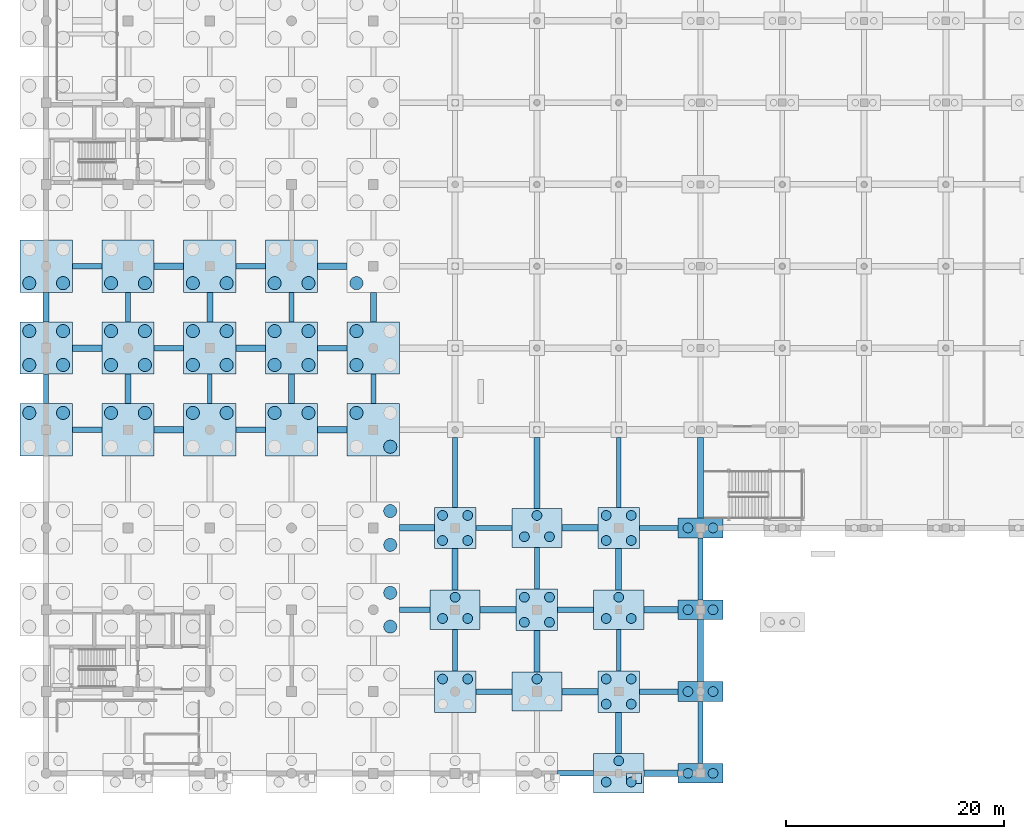
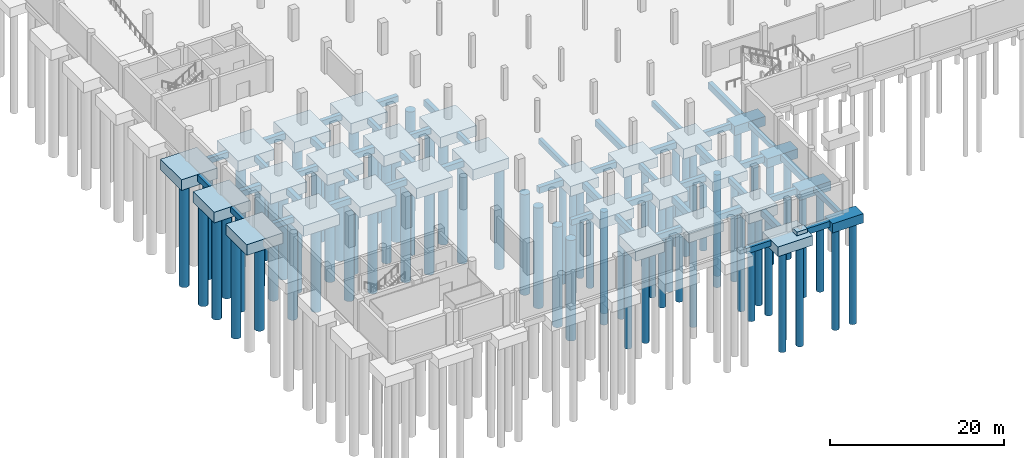
# One storey, part 2 of 42: 80 piles, 78 footings.
"""IFC4 building model written with IfcOpenShell, lengths in metres."""

from ifc_helpers import new_model, si_unit, direction, frame, origin, origin_2d, place, context, subcontext, project, spatial, rectangle, circle, extrude, material, material_profile, profile_set, type_object, element, save


model = new_model("IFC4")

# Units and contexts
model_context = context("Model", 3, precision=1e-05, world=origin(), true_north=direction((0.0, 1.0)))
body_context = subcontext(model_context, "Body", "Model", "MODEL_VIEW")
ifc_project = project(units=[si_unit("LENGTHUNIT", "METRE"), si_unit("AREAUNIT", "SQUARE_METRE"), si_unit("VOLUMEUNIT", "CUBIC_METRE"), si_unit("PLANEANGLEUNIT", "RADIAN"), si_unit("MASSUNIT", "GRAM", prefix="KILO")], contexts=[model_context])

# Site, building, storey
site_placement = place(None, origin())
site = spatial("IfcSite", under=ifc_project, at=site_placement, CompositionType="ELEMENT")
building_placement = place(site_placement, origin())
building = spatial("IfcBuilding", under=site, at=building_placement, Name="Dalvernix Boulevard General Hospital", CompositionType="ELEMENT")
storey_placement = place(building_placement, frame((0.0, 0.0, -4.5)))
storey = spatial("IfcBuildingStorey", under=building, at=storey_placement, Name="B1", CompositionType="ELEMENT", Elevation=-4.5)

# Footings
ifc_material_1 = material(Name="Concrete C35/45", Category="concrete")
footing_type_1 = type_object("IfcFootingType", Name="FTG-GB-01", PredefinedType="FOOTING_BEAM", material=ifc_material_1)
for number, where, z_axis, x_axis, name in (
    (1, (48.550048828125, 0.0, -1.2998046875), (0.0, 0.0, 1.0), (1.0, 0.0, 0.0), "Ground beam A:7-8"),
    (2, (41.050048828125, 7.5, -1.2998046875), (0.0, 0.0, 1.0), (1.0, 0.0, 0.0), "Ground beam B:6-7"),
):
    element("IfcFooting", number, at=place(storey_placement, frame(where, z_axis=z_axis, x_axis=x_axis)), inside=storey, type_object=footing_type_1, Name=name, PredefinedType="FOOTING_BEAM", context=body_context, shape_type="SweptSolid", body=[
        extrude(rectangle(XDim=3.300048828125, YDim=0.5, at=origin_2d()), origin(), (0.0, 0.0, 1.0), 0.800048828125),
    ])
footing_1_placement = place(storey_placement, frame((56.175048828125, 7.5, -1.2998046875), z_axis=(0.0, 0.0, 1.0), x_axis=(1.0, 0.0, 0.0)))
element("IfcFooting", 3, at=footing_1_placement, inside=storey, type_object=footing_type_1, Name="Ground beam B:8-9", PredefinedType="FOOTING_BEAM", context=body_context, shape_type="SweptSolid", body=[
    extrude(rectangle(XDim=3.550048828125, YDim=0.5, at=origin_2d()), origin(), (0.0, 0.0, 1.0), 0.800048828125),
])
footing_2_placement = place(storey_placement, frame((33.800048828125, 15.0, -1.2998046875), z_axis=(0.0, 0.0, 1.0), x_axis=(1.0, 0.0, 0.0)))
element("IfcFooting", 4, at=footing_2_placement, inside=storey, type_object=footing_type_1, Name="Ground beam C:5-6", PredefinedType="FOOTING_BEAM", context=body_context, shape_type="SweptSolid", body=[
    extrude(rectangle(XDim=2.800048828125, YDim=0.5, at=origin_2d()), origin(), (0.0, 0.0, 1.0), 0.800048828125),
])
for number, where, z_axis, x_axis, name in (
    (5, (48.550048828125, 15.0, -1.2998046875), (0.0, 0.0, 1.0), (1.0, 0.0, 0.0), "Ground beam C:7-8"),
    (6, (41.050048828125, 22.5, -1.2998046875), (0.0, 0.0, 1.0), (1.0, 0.0, 0.0), "Ground beam D:6-7"),
):
    element("IfcFooting", number, at=place(storey_placement, frame(where, z_axis=z_axis, x_axis=x_axis)), inside=storey, type_object=footing_type_1, Name=name, PredefinedType="FOOTING_BEAM", context=body_context, shape_type="SweptSolid", body=[
        extrude(rectangle(XDim=3.300048828125, YDim=0.5, at=origin_2d()), origin(), (0.0, 0.0, 1.0), 0.800048828125),
    ])
footing_3_placement = place(storey_placement, frame((56.175048828125, 22.5, -1.2998046875), z_axis=(0.0, 0.0, 1.0), x_axis=(1.0, 0.0, 0.0)))
element("IfcFooting", 7, at=footing_3_placement, inside=storey, type_object=footing_type_1, Name="Ground beam D:8-9", PredefinedType="FOOTING_BEAM", context=body_context, shape_type="SweptSolid", body=[
    extrude(rectangle(XDim=3.550048828125, YDim=0.5, at=origin_2d()), origin(), (0.0, 0.0, 1.0), 0.800048828125),
])
for number, where, z_axis, x_axis, name in (
    (8, (3.75, 31.5, -1.2998046875), (0.0, 0.0, 1.0), (1.0, 0.0, 0.0), "Ground beam E:1-2"),
    (9, (18.75, 31.5, -1.2998046875), (0.0, 0.0, 1.0), (1.0, 0.0, 0.0), "Ground beam E:3-4"),
    (10, (11.25, 39.0, -1.2998046875), (0.0, 0.0, 1.0), (1.0, 0.0, 0.0), "Ground beam F:2-3"),
    (11, (26.25, 39.0, -1.2998046875), (0.0, 0.0, 1.0), (1.0, 0.0, 0.0), "Ground beam F:4-5"),
    (12, (3.75, 46.5, -1.2998046875), (0.0, 0.0, 1.0), (1.0, 0.0, 0.0), "Ground beam G:1-2"),
    (13, (18.75, 46.5, -1.2998046875), (0.0, 0.0, 1.0), (1.0, 0.0, 0.0), "Ground beam G:3-4"),
):
    element("IfcFooting", number, at=place(storey_placement, frame(where, z_axis=z_axis, x_axis=x_axis)), inside=storey, type_object=footing_type_1, Name=name, PredefinedType="FOOTING_BEAM", context=body_context, shape_type="SweptSolid", body=[
        extrude(rectangle(XDim=2.699951171875, YDim=0.5, at=origin_2d()), origin(), (0.0, 0.0, 1.0), 0.800048828125),
    ])
footing_type_2 = type_object("IfcFootingType", Name="FTG-GB-02", PredefinedType="FOOTING_BEAM", material=ifc_material_1)
footing_4_placement = place(storey_placement, frame((56.375, 0.0, -1.35009765625), z_axis=(0.0, 0.0, 1.0), x_axis=(1.0, 0.0, 0.0)))
element("IfcFooting", 14, at=footing_4_placement, inside=storey, type_object=footing_type_2, Name="Ground beam A:8-9", PredefinedType="FOOTING_BEAM", context=body_context, shape_type="SweptSolid", body=[
    extrude(rectangle(XDim=3.14990234375, YDim=0.60009765625, at=origin_2d()), origin(), (0.0, 0.0, 1.0), 0.85009765625),
])
for number, where, z_axis, x_axis, name in (
    (15, (48.949951171875, 7.5, -1.35009765625), (0.0, 0.0, 1.0), (1.0, 0.0, 0.0), "Ground beam B:7-8"),
    (16, (41.449951171875, 15.0, -1.35009765625), (0.0, 0.0, 1.0), (1.0, 0.0, 0.0), "Ground beam C:6-7"),
):
    element("IfcFooting", number, at=place(storey_placement, frame(where, z_axis=z_axis, x_axis=x_axis)), inside=storey, type_object=footing_type_2, Name=name, PredefinedType="FOOTING_BEAM", context=body_context, shape_type="SweptSolid", body=[
        extrude(rectangle(XDim=3.300048828125, YDim=0.60009765625, at=origin_2d()), origin(), (0.0, 0.0, 1.0), 0.85009765625),
    ])
footing_5_placement = place(storey_placement, frame((56.375, 15.0, -1.35009765625), z_axis=(0.0, 0.0, 1.0), x_axis=(1.0, 0.0, 0.0)))
element("IfcFooting", 17, at=footing_5_placement, inside=storey, type_object=footing_type_2, Name="Ground beam C:8-9", PredefinedType="FOOTING_BEAM", context=body_context, shape_type="SweptSolid", body=[
    extrude(rectangle(XDim=3.14990234375, YDim=0.60009765625, at=origin_2d()), origin(), (0.0, 0.0, 1.0), 0.85009765625),
])
footing_6_placement = place(storey_placement, frame((34.0, 22.5, -1.35009765625), z_axis=(0.0, 0.0, 1.0), x_axis=(1.0, 0.0, 0.0)))
element("IfcFooting", 18, at=footing_6_placement, inside=storey, type_object=footing_type_2, Name="Ground beam D:5-6", PredefinedType="FOOTING_BEAM", context=body_context, shape_type="SweptSolid", body=[
    extrude(rectangle(XDim=3.199951171875, YDim=0.60009765625, at=origin_2d()), origin(), (0.0, 0.0, 1.0), 0.85009765625),
])
footing_7_placement = place(storey_placement, frame((48.949951171875, 22.5, -1.35009765625), z_axis=(0.0, 0.0, 1.0), x_axis=(1.0, 0.0, 0.0)))
element("IfcFooting", 19, at=footing_7_placement, inside=storey, type_object=footing_type_2, Name="Ground beam D:7-8", PredefinedType="FOOTING_BEAM", context=body_context, shape_type="SweptSolid", body=[
    extrude(rectangle(XDim=3.300048828125, YDim=0.60009765625, at=origin_2d()), origin(), (0.0, 0.0, 1.0), 0.85009765625),
])
for number, where, z_axis, x_axis, name in (
    (20, (11.25, 31.5, -1.35009765625), (0.0, 0.0, 1.0), (1.0, 0.0, 0.0), "Ground beam E:2-3"),
    (21, (26.25, 31.5, -1.35009765625), (0.0, 0.0, 1.0), (1.0, 0.0, 0.0), "Ground beam E:4-5"),
    (22, (3.75, 39.0, -1.35009765625), (0.0, 0.0, 1.0), (1.0, 0.0, 0.0), "Ground beam F:1-2"),
    (23, (18.75, 39.0, -1.35009765625), (0.0, 0.0, 1.0), (1.0, 0.0, 0.0), "Ground beam F:3-4"),
    (24, (11.25, 46.5, -1.35009765625), (0.0, 0.0, 1.0), (1.0, 0.0, 0.0), "Ground beam G:2-3"),
    (25, (26.25, 46.5, -1.35009765625), (0.0, 0.0, 1.0), (1.0, 0.0, 0.0), "Ground beam G:4-5"),
):
    element("IfcFooting", number, at=place(storey_placement, frame(where, z_axis=z_axis, x_axis=x_axis)), inside=storey, type_object=footing_type_2, Name=name, PredefinedType="FOOTING_BEAM", context=body_context, shape_type="SweptSolid", body=[
        extrude(rectangle(XDim=2.699951171875, YDim=0.60009765625, at=origin_2d()), origin(), (0.0, 0.0, 1.0), 0.85009765625),
    ])
footing_type_3 = type_object("IfcFootingType", Name="FTG-GB-03", PredefinedType="FOOTING_BEAM", material=ifc_material_1)
for number, where, z_axis, x_axis, name in (
    (26, (0.0, 35.25, -1.25), (0.0, 0.0, 1.0), (0.0, 1.0, 0.0), "Ground beam 1:E-F"),
    (27, (7.5, 42.75, -1.25), (0.0, 0.0, 1.0), (0.0, 1.0, 0.0), "Ground beam 2:F-G"),
    (28, (15.0, 35.25, -1.25), (0.0, 0.0, 1.0), (0.0, 1.0, 0.0), "Ground beam 3:E-F"),
    (29, (22.5, 42.75, -1.25), (0.0, 0.0, 1.0), (0.0, 1.0, 0.0), "Ground beam 4:F-G"),
    (30, (30.0, 35.25, -1.25), (0.0, 0.0, 1.0), (0.0, 1.0, 0.0), "Ground beam 5:E-F"),
):
    element("IfcFooting", number, at=place(storey_placement, frame(where, z_axis=z_axis, x_axis=x_axis)), inside=storey, type_object=footing_type_3, Name=name, PredefinedType="FOOTING_BEAM", context=body_context, shape_type="SweptSolid", body=[
        extrude(rectangle(XDim=2.699951171875, YDim=0.449951171875, at=origin_2d()), origin(), (0.0, 0.0, 1.0), 0.75),
    ])
footing_8_placement = place(storey_placement, frame((37.5, 11.300048828125, -1.25), z_axis=(0.0, 0.0, 1.0), x_axis=(0.0, 1.0, 0.0)))
element("IfcFooting", 31, at=footing_8_placement, inside=storey, type_object=footing_type_3, Name="Ground beam 6:B-C", PredefinedType="FOOTING_BEAM", context=body_context, shape_type="SweptSolid", body=[
    extrude(rectangle(XDim=3.800048828125, YDim=0.449951171875, at=origin_2d()), origin(), (0.0, 0.0, 1.0), 0.75),
])
footing_9_placement = place(storey_placement, frame((37.5, 27.60009765625, -1.25), z_axis=(0.0, 0.0, 1.0), x_axis=(0.0, 1.0, 0.0)))
element("IfcFooting", 32, at=footing_9_placement, inside=storey, type_object=footing_type_3, Name="Ground beam 6:D-E", PredefinedType="FOOTING_BEAM", context=body_context, shape_type="SweptSolid", body=[
    extrude(rectangle(XDim=6.39990234375, YDim=0.449951171875, at=origin_2d()), origin(), (0.0, 0.0, 1.0), 0.75),
])
for number, where, z_axis, x_axis, name in (
    (33, (45.0, 18.800048828125, -1.25), (0.0, 0.0, 1.0), (0.0, 1.0, 0.0), "Ground beam 7:C-D"),
    (34, (52.5, 11.300048828125, -1.25), (0.0, 0.0, 1.0), (0.0, 1.0, 0.0), "Ground beam 8:B-C"),
):
    element("IfcFooting", number, at=place(storey_placement, frame(where, z_axis=z_axis, x_axis=x_axis)), inside=storey, type_object=footing_type_3, Name=name, PredefinedType="FOOTING_BEAM", context=body_context, shape_type="SweptSolid", body=[
        extrude(rectangle(XDim=3.800048828125, YDim=0.449951171875, at=origin_2d()), origin(), (0.0, 0.0, 1.0), 0.75),
    ])
footing_10_placement = place(storey_placement, frame((52.5, 27.60009765625, -1.25), z_axis=(0.0, 0.0, 1.0), x_axis=(0.0, 1.0, 0.0)))
element("IfcFooting", 35, at=footing_10_placement, inside=storey, type_object=footing_type_3, Name="Ground beam 8:D-E", PredefinedType="FOOTING_BEAM", context=body_context, shape_type="SweptSolid", body=[
    extrude(rectangle(XDim=6.39990234375, YDim=0.449951171875, at=origin_2d()), origin(), (0.0, 0.0, 1.0), 0.75),
])
for number, where, z_axis, x_axis, name in (
    (36, (60.0, 3.75, -1.25), (0.0, 0.0, 1.0), (0.0, 1.0, 0.0), "Ground beam 9:A-B"),
    (37, (60.0, 18.75, -1.25), (0.0, 0.0, 1.0), (0.0, 1.0, 0.0), "Ground beam 9:C-D"),
):
    element("IfcFooting", number, at=place(storey_placement, frame(where, z_axis=z_axis, x_axis=x_axis)), inside=storey, type_object=footing_type_3, Name=name, PredefinedType="FOOTING_BEAM", context=body_context, shape_type="SweptSolid", body=[
        extrude(rectangle(XDim=5.699951171875, YDim=0.449951171875, at=origin_2d()), origin(), (0.0, 0.0, 1.0), 0.75),
    ])
footing_type_4 = type_object("IfcFootingType", Name="FTG-GB-04", PredefinedType="FOOTING_BEAM", material=ifc_material_1)
for number, where, z_axis, x_axis, name in (
    (38, (0.0, 42.75, -1.39990234375), (0.0, 0.0, 1.0), (0.0, 1.0, 0.0), "Ground beam 1:F-G"),
    (39, (7.5, 35.25, -1.39990234375), (0.0, 0.0, 1.0), (0.0, 1.0, 0.0), "Ground beam 2:E-F"),
    (40, (15.0, 42.75, -1.39990234375), (0.0, 0.0, 1.0), (0.0, 1.0, 0.0), "Ground beam 3:F-G"),
    (41, (22.5, 35.25, -1.39990234375), (0.0, 0.0, 1.0), (0.0, 1.0, 0.0), "Ground beam 4:E-F"),
    (42, (30.0, 42.75, -1.39990234375), (0.0, 0.0, 1.0), (0.0, 1.0, 0.0), "Ground beam 5:F-G"),
):
    element("IfcFooting", number, at=place(storey_placement, frame(where, z_axis=z_axis, x_axis=x_axis)), inside=storey, type_object=footing_type_4, Name=name, PredefinedType="FOOTING_BEAM", context=body_context, shape_type="SweptSolid", body=[
        extrude(rectangle(XDim=2.699951171875, YDim=0.550048828125, at=origin_2d()), origin(), (0.0, 0.0, 1.0), 0.89990234375),
    ])
for number, where, z_axis, x_axis, name in (
    (43, (37.5, 18.699951171875, -1.39990234375), (0.0, 0.0, 1.0), (0.0, 1.0, 0.0), "Ground beam 6:C-D"),
    (44, (45.0, 11.199951171875, -1.39990234375), (0.0, 0.0, 1.0), (0.0, 1.0, 0.0), "Ground beam 7:B-C"),
):
    element("IfcFooting", number, at=place(storey_placement, frame(where, z_axis=z_axis, x_axis=x_axis)), inside=storey, type_object=footing_type_4, Name=name, PredefinedType="FOOTING_BEAM", context=body_context, shape_type="SweptSolid", body=[
        extrude(rectangle(XDim=3.800048828125, YDim=0.550048828125, at=origin_2d()), origin(), (0.0, 0.0, 1.0), 0.89990234375),
    ])
footing_11_placement = place(storey_placement, frame((45.0, 27.550048828125, -1.39990234375), z_axis=(0.0, 0.0, 1.0), x_axis=(0.0, 1.0, 0.0)))
element("IfcFooting", 45, at=footing_11_placement, inside=storey, type_object=footing_type_4, Name="Ground beam 7:D-E", PredefinedType="FOOTING_BEAM", context=body_context, shape_type="SweptSolid", body=[
    extrude(rectangle(XDim=6.5, YDim=0.550048828125, at=origin_2d()), origin(), (0.0, 0.0, 1.0), 0.89990234375),
])
for number, where, z_axis, x_axis, name in (
    (46, (52.5, 3.699951171875, -1.39990234375), (0.0, 0.0, 1.0), (0.0, 1.0, 0.0), "Ground beam 8:A-B"),
    (47, (52.5, 18.699951171875, -1.39990234375), (0.0, 0.0, 1.0), (0.0, 1.0, 0.0), "Ground beam 8:C-D"),
):
    element("IfcFooting", number, at=place(storey_placement, frame(where, z_axis=z_axis, x_axis=x_axis)), inside=storey, type_object=footing_type_4, Name=name, PredefinedType="FOOTING_BEAM", context=body_context, shape_type="SweptSolid", body=[
        extrude(rectangle(XDim=3.800048828125, YDim=0.550048828125, at=origin_2d()), origin(), (0.0, 0.0, 1.0), 0.89990234375),
    ])
footing_12_placement = place(storey_placement, frame((60.0, 11.25, -1.39990234375), z_axis=(0.0, 0.0, 1.0), x_axis=(0.0, 1.0, 0.0)))
element("IfcFooting", 48, at=footing_12_placement, inside=storey, type_object=footing_type_4, Name="Ground beam 9:B-C", PredefinedType="FOOTING_BEAM", context=body_context, shape_type="SweptSolid", body=[
    extrude(rectangle(XDim=5.699951171875, YDim=0.550048828125, at=origin_2d()), origin(), (0.0, 0.0, 1.0), 0.89990234375),
])
footing_13_placement = place(storey_placement, frame((60.0, 27.10009765625, -1.39990234375), z_axis=(0.0, 0.0, 1.0), x_axis=(0.0, 1.0, 0.0)))
element("IfcFooting", 49, at=footing_13_placement, inside=storey, type_object=footing_type_4, Name="Ground beam 9:D-E", PredefinedType="FOOTING_BEAM", context=body_context, shape_type="SweptSolid", body=[
    extrude(rectangle(XDim=7.39990234375, YDim=0.550048828125, at=origin_2d()), origin(), (0.0, 0.0, 1.0), 0.89990234375),
])
ifc_material_2 = material(Name="Concrete C40/50", Category="concrete")
footing_type_5 = type_object("IfcFootingType", Name="FTG-PC-04", PredefinedType="PILE_CAP", material=ifc_material_2)
for number, where, z_axis, x_axis, name in (
    (50, (60.0, 0.0, -1.7998046875), (0.0, 0.0, 1.0), (1.0, 0.0, 0.0), "Pile cap 9A"),
    (51, (60.0, 7.5, -1.7998046875), (0.0, 0.0, 1.0), (1.0, 0.0, 0.0), "Pile cap 9B"),
    (52, (60.0, 15.0, -1.7998046875), (0.0, 0.0, 1.0), (1.0, 0.0, 0.0), "Pile cap 9C"),
    (53, (60.0, 22.5, -1.7998046875), (0.0, 0.0, 1.0), (1.0, 0.0, 0.0), "Pile cap 9D"),
):
    element("IfcFooting", number, at=place(storey_placement, frame(where, z_axis=z_axis, x_axis=x_axis)), inside=storey, type_object=footing_type_5, Name=name, PredefinedType="PILE_CAP", context=body_context, shape_type="SweptSolid", body=[
        extrude(rectangle(XDim=4.10009765625, YDim=1.800048828125, at=origin_2d()), origin(), (0.0, 0.0, 1.0), 1.300048828125),
    ])
footing_type_6 = type_object("IfcFootingType", Name="FTG-PC-06", PredefinedType="PILE_CAP", material=ifc_material_2)
for number, where, z_axis, x_axis, name in (
    (54, (37.5, 15.0, -1.85009765625), (0.0, 0.0, 1.0), (1.0, 0.0, 0.0), "Pile cap 6C"),
    (55, (45.0, 7.5, -1.85009765625), (0.0, 0.0, 1.0), (1.0, 0.0, 0.0), "Pile cap 7B"),
    (56, (45.0, 22.5, -1.85009765625), (0.0, 0.0, 1.0), (1.0, 0.0, 0.0), "Pile cap 7D"),
    (57, (52.5, 0.0, -1.85009765625), (0.0, 0.0, 1.0), (1.0, 0.0, 0.0), "Pile cap 8A"),
    (58, (52.5, 15.0, -1.85009765625), (0.0, 0.0, 1.0), (1.0, 0.0, 0.0), "Pile cap 8C"),
):
    element("IfcFooting", number, at=place(storey_placement, frame(where, z_axis=z_axis, x_axis=x_axis)), inside=storey, type_object=footing_type_6, Name=name, PredefinedType="PILE_CAP", context=body_context, shape_type="SweptSolid", body=[
        extrude(rectangle(XDim=4.60009765625, YDim=3.60009765625, at=origin_2d()), origin(), (0.0, 0.0, 1.0), 1.35009765625),
    ])
footing_type_7 = type_object("IfcFootingType", Name="FTG-PC-07", PredefinedType="PILE_CAP", material=ifc_material_2)
for number, where, z_axis, x_axis, name in (
    (59, (37.5, 7.5, -1.89990234375), (0.0, 0.0, 1.0), (1.0, 0.0, 0.0), "Pile cap 6B"),
    (60, (37.5, 22.5, -1.89990234375), (0.0, 0.0, 1.0), (1.0, 0.0, 0.0), "Pile cap 6D"),
    (61, (45.0, 15.0, -1.89990234375), (0.0, 0.0, 1.0), (1.0, 0.0, 0.0), "Pile cap 7C"),
    (62, (52.5, 7.5, -1.89990234375), (0.0, 0.0, 1.0), (1.0, 0.0, 0.0), "Pile cap 8B"),
    (63, (52.5, 22.5, -1.89990234375), (0.0, 0.0, 1.0), (1.0, 0.0, 0.0), "Pile cap 8D"),
):
    element("IfcFooting", number, at=place(storey_placement, frame(where, z_axis=z_axis, x_axis=x_axis)), inside=storey, type_object=footing_type_7, Name=name, PredefinedType="PILE_CAP", context=body_context, shape_type="SweptSolid", body=[
        extrude(rectangle(XDim=3.800048828125, YDim=3.800048828125, at=origin_2d()), origin(), (0.0, 0.0, 1.0), 1.39990234375),
    ])
footing_type_8 = type_object("IfcFootingType", Name="FTG-PC-09", PredefinedType="PILE_CAP", material=ifc_material_2)
for number, where, z_axis, x_axis, name in (
    (64, (0.0, 31.5, -2.0), (0.0, 0.0, 1.0), (1.0, 0.0, 0.0), "Pile cap 1E"),
    (65, (0.0, 39.0, -2.0), (0.0, 0.0, 1.0), (1.0, 0.0, 0.0), "Pile cap 1F"),
    (66, (0.0, 46.5, -2.0), (0.0, 0.0, 1.0), (1.0, 0.0, 0.0), "Pile cap 1G"),
    (67, (7.5, 31.5, -2.0), (0.0, 0.0, 1.0), (1.0, 0.0, 0.0), "Pile cap 2E"),
    (68, (7.5, 39.0, -2.0), (0.0, 0.0, 1.0), (1.0, 0.0, 0.0), "Pile cap 2F"),
    (69, (7.5, 46.5, -2.0), (0.0, 0.0, 1.0), (1.0, 0.0, 0.0), "Pile cap 2G"),
    (70, (15.0, 31.5, -2.0), (0.0, 0.0, 1.0), (1.0, 0.0, 0.0), "Pile cap 3E"),
    (71, (15.0, 39.0, -2.0), (0.0, 0.0, 1.0), (1.0, 0.0, 0.0), "Pile cap 3F"),
    (72, (15.0, 46.5, -2.0), (0.0, 0.0, 1.0), (1.0, 0.0, 0.0), "Pile cap 3G"),
    (73, (22.5, 31.5, -2.0), (0.0, 0.0, 1.0), (1.0, 0.0, 0.0), "Pile cap 4E"),
    (74, (22.5, 39.0, -2.0), (0.0, 0.0, 1.0), (1.0, 0.0, 0.0), "Pile cap 4F"),
    (75, (22.5, 46.5, -2.0), (0.0, 0.0, 1.0), (1.0, 0.0, 0.0), "Pile cap 4G"),
    (76, (30.0, 31.5, -2.0), (0.0, 0.0, 1.0), (1.0, 0.0, 0.0), "Pile cap 5E"),
    (77, (30.0, 39.0, -2.0), (0.0, 0.0, 1.0), (1.0, 0.0, 0.0), "Pile cap 5F"),
):
    element("IfcFooting", number, at=place(storey_placement, frame(where, z_axis=z_axis, x_axis=x_axis)), inside=storey, type_object=footing_type_8, Name=name, PredefinedType="PILE_CAP", context=body_context, shape_type="SweptSolid", body=[
        extrude(rectangle(XDim=4.800048828125, YDim=4.800048828125, at=origin_2d()), origin(), (0.0, 0.0, 1.0), 1.5),
    ])
footing_type_9 = type_object("IfcFootingType", Name="FTG-SF-02", PredefinedType="STRIP_FOOTING", material=ifc_material_1)
footing_14_placement = place(storey_placement, frame((53.89990234375, -0.449951171875, -0.5498046875), z_axis=(0.0, 0.0, 1.0), x_axis=(1.0, 0.0, 0.0)))
element("IfcFooting", 78, at=footing_14_placement, inside=storey, type_object=footing_type_9, Name="Boulevard buttress strip footing 6", PredefinedType="STRIP_FOOTING", context=body_context, shape_type="SweptSolid", body=[
    extrude(rectangle(XDim=1.39990234375, YDim=1.0, at=origin_2d()), origin(), (0.0, 0.0, 1.0), 0.550048828125),
])

# Piles
ifc_material_profile_1 = material_profile(ifc_material_1, circle(Radius=0.449951171875, at=origin_2d()), Name="BORED PILE D900")
ifc_profile_set_1 = profile_set([ifc_material_profile_1], Name="Concrete C35/45")
pile_type_1 = type_object("IfcPileType", Name="PILE-PL-02", PredefinedType="BORED", material=ifc_profile_set_1)
for number, where, z_axis, x_axis, name in (
    (79, (36.35009765625, 8.64990234375, -1.800048828125), (0.0, 0.0, -1.0), (1.0, 0.0, 0.0), "Bored pile 6B-3"),
    (80, (38.64990234375, 8.64990234375, -1.800048828125), (0.0, 0.0, -1.0), (1.0, 0.0, 0.0), "Bored pile 6B-4"),
):
    element("IfcPile", number, at=place(storey_placement, frame(where, z_axis=z_axis, x_axis=x_axis)), inside=storey, type_object=pile_type_1, Name=name, PredefinedType="BORED", context=body_context, shape_type="SweptSolid", body=[
        extrude(circle(Radius=0.449951171875, at=origin_2d()), origin(), (0.0, 0.0, 1.0), 14.199951171875),
    ])
for number, where, z_axis, x_axis, name in (
    (81, (36.35009765625, 14.199951171875, -1.75), (0.0, 0.0, -1.0), (1.0, 0.0, 0.0), "Bored pile 6C-1"),
    (82, (38.64990234375, 14.199951171875, -1.75), (0.0, 0.0, -1.0), (1.0, 0.0, 0.0), "Bored pile 6C-2"),
    (83, (37.5, 16.14990234375, -1.75), (0.0, 0.0, -1.0), (1.0, 0.0, 0.0), "Bored pile 6C-3"),
):
    element("IfcPile", number, at=place(storey_placement, frame(where, z_axis=z_axis, x_axis=x_axis)), inside=storey, type_object=pile_type_1, Name=name, PredefinedType="BORED", context=body_context, shape_type="SweptSolid", body=[
        extrude(circle(Radius=0.449951171875, at=origin_2d()), origin(), (0.0, 0.0, 1.0), 14.25),
    ])
for number, where, z_axis, x_axis, name in (
    (84, (36.35009765625, 21.35009765625, -1.800048828125), (0.0, 0.0, -1.0), (1.0, 0.0, 0.0), "Bored pile 6D-1"),
    (85, (38.64990234375, 21.35009765625, -1.800048828125), (0.0, 0.0, -1.0), (1.0, 0.0, 0.0), "Bored pile 6D-2"),
    (86, (36.35009765625, 23.64990234375, -1.800048828125), (0.0, 0.0, -1.0), (1.0, 0.0, 0.0), "Bored pile 6D-3"),
    (87, (38.64990234375, 23.64990234375, -1.800048828125), (0.0, 0.0, -1.0), (1.0, 0.0, 0.0), "Bored pile 6D-4"),
):
    element("IfcPile", number, at=place(storey_placement, frame(where, z_axis=z_axis, x_axis=x_axis)), inside=storey, type_object=pile_type_1, Name=name, PredefinedType="BORED", context=body_context, shape_type="SweptSolid", body=[
        extrude(circle(Radius=0.449951171875, at=origin_2d()), origin(), (0.0, 0.0, 1.0), 14.199951171875),
    ])
pile_placement = place(storey_placement, frame((45.0, 8.64990234375, -1.75), z_axis=(0.0, 0.0, -1.0), x_axis=(1.0, 0.0, 0.0)))
element("IfcPile", 88, at=pile_placement, inside=storey, type_object=pile_type_1, Name="Bored pile 7B-3", PredefinedType="BORED", context=body_context, shape_type="SweptSolid", body=[
    extrude(circle(Radius=0.449951171875, at=origin_2d()), origin(), (0.0, 0.0, 1.0), 14.25),
])
for number, where, z_axis, x_axis, name in (
    (89, (43.85009765625, 13.85009765625, -1.800048828125), (0.0, 0.0, -1.0), (1.0, 0.0, 0.0), "Bored pile 7C-1"),
    (90, (46.14990234375, 13.85009765625, -1.800048828125), (0.0, 0.0, -1.0), (1.0, 0.0, 0.0), "Bored pile 7C-2"),
    (91, (43.85009765625, 16.14990234375, -1.800048828125), (0.0, 0.0, -1.0), (1.0, 0.0, 0.0), "Bored pile 7C-3"),
    (92, (46.14990234375, 16.14990234375, -1.800048828125), (0.0, 0.0, -1.0), (1.0, 0.0, 0.0), "Bored pile 7C-4"),
):
    element("IfcPile", number, at=place(storey_placement, frame(where, z_axis=z_axis, x_axis=x_axis)), inside=storey, type_object=pile_type_1, Name=name, PredefinedType="BORED", context=body_context, shape_type="SweptSolid", body=[
        extrude(circle(Radius=0.449951171875, at=origin_2d()), origin(), (0.0, 0.0, 1.0), 14.199951171875),
    ])
for number, where, z_axis, x_axis, name in (
    (93, (43.85009765625, 21.699951171875, -1.75), (0.0, 0.0, -1.0), (1.0, 0.0, 0.0), "Bored pile 7D-1"),
    (94, (46.14990234375, 21.699951171875, -1.75), (0.0, 0.0, -1.0), (1.0, 0.0, 0.0), "Bored pile 7D-2"),
    (95, (45.0, 23.64990234375, -1.75), (0.0, 0.0, -1.0), (1.0, 0.0, 0.0), "Bored pile 7D-3"),
    (96, (51.35009765625, -0.800048828125, -1.75), (0.0, 0.0, -1.0), (1.0, 0.0, 0.0), "Bored pile 8A-1"),
    (97, (53.64990234375, -0.800048828125, -1.75), (0.0, 0.0, -1.0), (1.0, 0.0, 0.0), "Bored pile 8A-2"),
    (98, (52.5, 1.14990234375, -1.75), (0.0, 0.0, -1.0), (1.0, 0.0, 0.0), "Bored pile 8A-3"),
):
    element("IfcPile", number, at=place(storey_placement, frame(where, z_axis=z_axis, x_axis=x_axis)), inside=storey, type_object=pile_type_1, Name=name, PredefinedType="BORED", context=body_context, shape_type="SweptSolid", body=[
        extrude(circle(Radius=0.449951171875, at=origin_2d()), origin(), (0.0, 0.0, 1.0), 14.25),
    ])
for number, where, z_axis, x_axis, name in (
    (99, (51.35009765625, 6.35009765625, -1.800048828125), (0.0, 0.0, -1.0), (1.0, 0.0, 0.0), "Bored pile 8B-1"),
    (100, (53.64990234375, 6.35009765625, -1.800048828125), (0.0, 0.0, -1.0), (1.0, 0.0, 0.0), "Bored pile 8B-2"),
    (101, (51.35009765625, 8.64990234375, -1.800048828125), (0.0, 0.0, -1.0), (1.0, 0.0, 0.0), "Bored pile 8B-3"),
    (102, (53.64990234375, 8.64990234375, -1.800048828125), (0.0, 0.0, -1.0), (1.0, 0.0, 0.0), "Bored pile 8B-4"),
):
    element("IfcPile", number, at=place(storey_placement, frame(where, z_axis=z_axis, x_axis=x_axis)), inside=storey, type_object=pile_type_1, Name=name, PredefinedType="BORED", context=body_context, shape_type="SweptSolid", body=[
        extrude(circle(Radius=0.449951171875, at=origin_2d()), origin(), (0.0, 0.0, 1.0), 14.199951171875),
    ])
for number, where, z_axis, x_axis, name in (
    (103, (51.35009765625, 14.199951171875, -1.75), (0.0, 0.0, -1.0), (1.0, 0.0, 0.0), "Bored pile 8C-1"),
    (104, (53.64990234375, 14.199951171875, -1.75), (0.0, 0.0, -1.0), (1.0, 0.0, 0.0), "Bored pile 8C-2"),
    (105, (52.5, 16.14990234375, -1.75), (0.0, 0.0, -1.0), (1.0, 0.0, 0.0), "Bored pile 8C-3"),
):
    element("IfcPile", number, at=place(storey_placement, frame(where, z_axis=z_axis, x_axis=x_axis)), inside=storey, type_object=pile_type_1, Name=name, PredefinedType="BORED", context=body_context, shape_type="SweptSolid", body=[
        extrude(circle(Radius=0.449951171875, at=origin_2d()), origin(), (0.0, 0.0, 1.0), 14.25),
    ])
for number, where, z_axis, x_axis, name in (
    (106, (51.35009765625, 21.35009765625, -1.800048828125), (0.0, 0.0, -1.0), (1.0, 0.0, 0.0), "Bored pile 8D-1"),
    (107, (53.64990234375, 21.35009765625, -1.800048828125), (0.0, 0.0, -1.0), (1.0, 0.0, 0.0), "Bored pile 8D-2"),
    (108, (51.35009765625, 23.64990234375, -1.800048828125), (0.0, 0.0, -1.0), (1.0, 0.0, 0.0), "Bored pile 8D-3"),
    (109, (53.64990234375, 23.64990234375, -1.800048828125), (0.0, 0.0, -1.0), (1.0, 0.0, 0.0), "Bored pile 8D-4"),
):
    element("IfcPile", number, at=place(storey_placement, frame(where, z_axis=z_axis, x_axis=x_axis)), inside=storey, type_object=pile_type_1, Name=name, PredefinedType="BORED", context=body_context, shape_type="SweptSolid", body=[
        extrude(circle(Radius=0.449951171875, at=origin_2d()), origin(), (0.0, 0.0, 1.0), 14.199951171875),
    ])
for number, where, z_axis, x_axis, name in (
    (110, (58.85009765625, 0.0, -1.699951171875), (0.0, 0.0, -1.0), (1.0, 0.0, 0.0), "Bored pile 9A-1"),
    (111, (61.14990234375, 0.0, -1.699951171875), (0.0, 0.0, -1.0), (1.0, 0.0, 0.0), "Bored pile 9A-2"),
    (112, (58.85009765625, 7.5, -1.699951171875), (0.0, 0.0, -1.0), (1.0, 0.0, 0.0), "Bored pile 9B-1"),
    (113, (61.14990234375, 7.5, -1.699951171875), (0.0, 0.0, -1.0), (1.0, 0.0, 0.0), "Bored pile 9B-2"),
    (114, (58.85009765625, 15.0, -1.699951171875), (0.0, 0.0, -1.0), (1.0, 0.0, 0.0), "Bored pile 9C-1"),
    (115, (61.14990234375, 15.0, -1.699951171875), (0.0, 0.0, -1.0), (1.0, 0.0, 0.0), "Bored pile 9C-2"),
    (116, (58.85009765625, 22.5, -1.699951171875), (0.0, 0.0, -1.0), (1.0, 0.0, 0.0), "Bored pile 9D-1"),
    (117, (61.14990234375, 22.5, -1.699951171875), (0.0, 0.0, -1.0), (1.0, 0.0, 0.0), "Bored pile 9D-2"),
):
    element("IfcPile", number, at=place(storey_placement, frame(where, z_axis=z_axis, x_axis=x_axis)), inside=storey, type_object=pile_type_1, Name=name, PredefinedType="BORED", context=body_context, shape_type="SweptSolid", body=[
        extrude(circle(Radius=0.449951171875, at=origin_2d()), origin(), (0.0, 0.0, 1.0), 14.300048828125),
    ])
ifc_material_profile_2 = material_profile(ifc_material_1, circle(Radius=0.60009765625, at=origin_2d()), Name="BORED PILE D1200")
ifc_profile_set_2 = profile_set([ifc_material_profile_2], Name="Concrete C35/45")
pile_type_2 = type_object("IfcPileType", Name="PILE-PL-03", PredefinedType="BORED", material=ifc_profile_set_2)
for number, where, z_axis, x_axis, name in (
    (118, (-1.550048828125, 33.050048828125, -1.89990234375), (0.0, 0.0, -1.0), (1.0, 0.0, 0.0), "Bored pile 1E-3"),
    (119, (1.550048828125, 33.050048828125, -1.89990234375), (0.0, 0.0, -1.0), (1.0, 0.0, 0.0), "Bored pile 1E-4"),
    (120, (-1.550048828125, 37.449951171875, -1.89990234375), (0.0, 0.0, -1.0), (1.0, 0.0, 0.0), "Bored pile 1F-1"),
    (121, (1.550048828125, 37.449951171875, -1.89990234375), (0.0, 0.0, -1.0), (1.0, 0.0, 0.0), "Bored pile 1F-2"),
    (122, (-1.550048828125, 40.550048828125, -1.89990234375), (0.0, 0.0, -1.0), (1.0, 0.0, 0.0), "Bored pile 1F-3"),
    (123, (1.550048828125, 40.550048828125, -1.89990234375), (0.0, 0.0, -1.0), (1.0, 0.0, 0.0), "Bored pile 1F-4"),
    (124, (-1.550048828125, 44.949951171875, -1.89990234375), (0.0, 0.0, -1.0), (1.0, 0.0, 0.0), "Bored pile 1G-1"),
    (125, (1.550048828125, 44.949951171875, -1.89990234375), (0.0, 0.0, -1.0), (1.0, 0.0, 0.0), "Bored pile 1G-2"),
    (126, (5.949951171875, 33.050048828125, -1.89990234375), (0.0, 0.0, -1.0), (1.0, 0.0, 0.0), "Bored pile 2E-3"),
    (127, (9.050048828125, 33.050048828125, -1.89990234375), (0.0, 0.0, -1.0), (1.0, 0.0, 0.0), "Bored pile 2E-4"),
    (128, (5.949951171875, 37.449951171875, -1.89990234375), (0.0, 0.0, -1.0), (1.0, 0.0, 0.0), "Bored pile 2F-1"),
    (129, (9.050048828125, 37.449951171875, -1.89990234375), (0.0, 0.0, -1.0), (1.0, 0.0, 0.0), "Bored pile 2F-2"),
    (130, (5.949951171875, 40.550048828125, -1.89990234375), (0.0, 0.0, -1.0), (1.0, 0.0, 0.0), "Bored pile 2F-3"),
    (131, (9.050048828125, 40.550048828125, -1.89990234375), (0.0, 0.0, -1.0), (1.0, 0.0, 0.0), "Bored pile 2F-4"),
    (132, (5.949951171875, 44.949951171875, -1.89990234375), (0.0, 0.0, -1.0), (1.0, 0.0, 0.0), "Bored pile 2G-1"),
    (133, (9.050048828125, 44.949951171875, -1.89990234375), (0.0, 0.0, -1.0), (1.0, 0.0, 0.0), "Bored pile 2G-2"),
    (134, (13.449951171875, 33.050048828125, -1.89990234375), (0.0, 0.0, -1.0), (1.0, 0.0, 0.0), "Bored pile 3E-3"),
    (135, (16.550048828125, 33.050048828125, -1.89990234375), (0.0, 0.0, -1.0), (1.0, 0.0, 0.0), "Bored pile 3E-4"),
    (136, (13.449951171875, 37.449951171875, -1.89990234375), (0.0, 0.0, -1.0), (1.0, 0.0, 0.0), "Bored pile 3F-1"),
    (137, (16.550048828125, 37.449951171875, -1.89990234375), (0.0, 0.0, -1.0), (1.0, 0.0, 0.0), "Bored pile 3F-2"),
    (138, (13.449951171875, 40.550048828125, -1.89990234375), (0.0, 0.0, -1.0), (1.0, 0.0, 0.0), "Bored pile 3F-3"),
    (139, (16.550048828125, 40.550048828125, -1.89990234375), (0.0, 0.0, -1.0), (1.0, 0.0, 0.0), "Bored pile 3F-4"),
    (140, (13.449951171875, 44.949951171875, -1.89990234375), (0.0, 0.0, -1.0), (1.0, 0.0, 0.0), "Bored pile 3G-1"),
    (141, (16.550048828125, 44.949951171875, -1.89990234375), (0.0, 0.0, -1.0), (1.0, 0.0, 0.0), "Bored pile 3G-2"),
    (142, (20.949951171875, 33.050048828125, -1.89990234375), (0.0, 0.0, -1.0), (1.0, 0.0, 0.0), "Bored pile 4E-3"),
    (143, (24.050048828125, 33.050048828125, -1.89990234375), (0.0, 0.0, -1.0), (1.0, 0.0, 0.0), "Bored pile 4E-4"),
    (144, (20.949951171875, 37.449951171875, -1.89990234375), (0.0, 0.0, -1.0), (1.0, 0.0, 0.0), "Bored pile 4F-1"),
    (145, (24.050048828125, 37.449951171875, -1.89990234375), (0.0, 0.0, -1.0), (1.0, 0.0, 0.0), "Bored pile 4F-2"),
    (146, (20.949951171875, 40.550048828125, -1.89990234375), (0.0, 0.0, -1.0), (1.0, 0.0, 0.0), "Bored pile 4F-3"),
    (147, (24.050048828125, 40.550048828125, -1.89990234375), (0.0, 0.0, -1.0), (1.0, 0.0, 0.0), "Bored pile 4F-4"),
    (148, (20.949951171875, 44.949951171875, -1.89990234375), (0.0, 0.0, -1.0), (1.0, 0.0, 0.0), "Bored pile 4G-1"),
    (149, (24.050048828125, 44.949951171875, -1.89990234375), (0.0, 0.0, -1.0), (1.0, 0.0, 0.0), "Bored pile 4G-2"),
    (150, (31.550048828125, 13.449951171875, -1.89990234375), (0.0, 0.0, -1.0), (1.0, 0.0, 0.0), "Bored pile 5C-2"),
    (151, (31.550048828125, 16.550048828125, -1.89990234375), (0.0, 0.0, -1.0), (1.0, 0.0, 0.0), "Bored pile 5C-4"),
    (152, (31.550048828125, 20.949951171875, -1.89990234375), (0.0, 0.0, -1.0), (1.0, 0.0, 0.0), "Bored pile 5D-2"),
    (153, (31.550048828125, 24.050048828125, -1.89990234375), (0.0, 0.0, -1.0), (1.0, 0.0, 0.0), "Bored pile 5D-4"),
    (154, (31.550048828125, 29.949951171875, -1.89990234375), (0.0, 0.0, -1.0), (1.0, 0.0, 0.0), "Bored pile 5E-2"),
    (155, (28.449951171875, 33.050048828125, -1.89990234375), (0.0, 0.0, -1.0), (1.0, 0.0, 0.0), "Bored pile 5E-3"),
    (156, (28.449951171875, 37.449951171875, -1.89990234375), (0.0, 0.0, -1.0), (1.0, 0.0, 0.0), "Bored pile 5F-1"),
    (157, (28.449951171875, 40.550048828125, -1.89990234375), (0.0, 0.0, -1.0), (1.0, 0.0, 0.0), "Bored pile 5F-3"),
    (158, (28.449951171875, 44.949951171875, -1.89990234375), (0.0, 0.0, -1.0), (1.0, 0.0, 0.0), "Bored pile 5G-1"),
):
    element("IfcPile", number, at=place(storey_placement, frame(where, z_axis=z_axis, x_axis=x_axis)), inside=storey, type_object=pile_type_2, Name=name, PredefinedType="BORED", context=body_context, shape_type="SweptSolid", body=[
        extrude(circle(Radius=0.60009765625, at=origin_2d()), origin(), (0.0, 0.0, 1.0), 14.10009765625),
    ])

save(model, "model.ifc")
